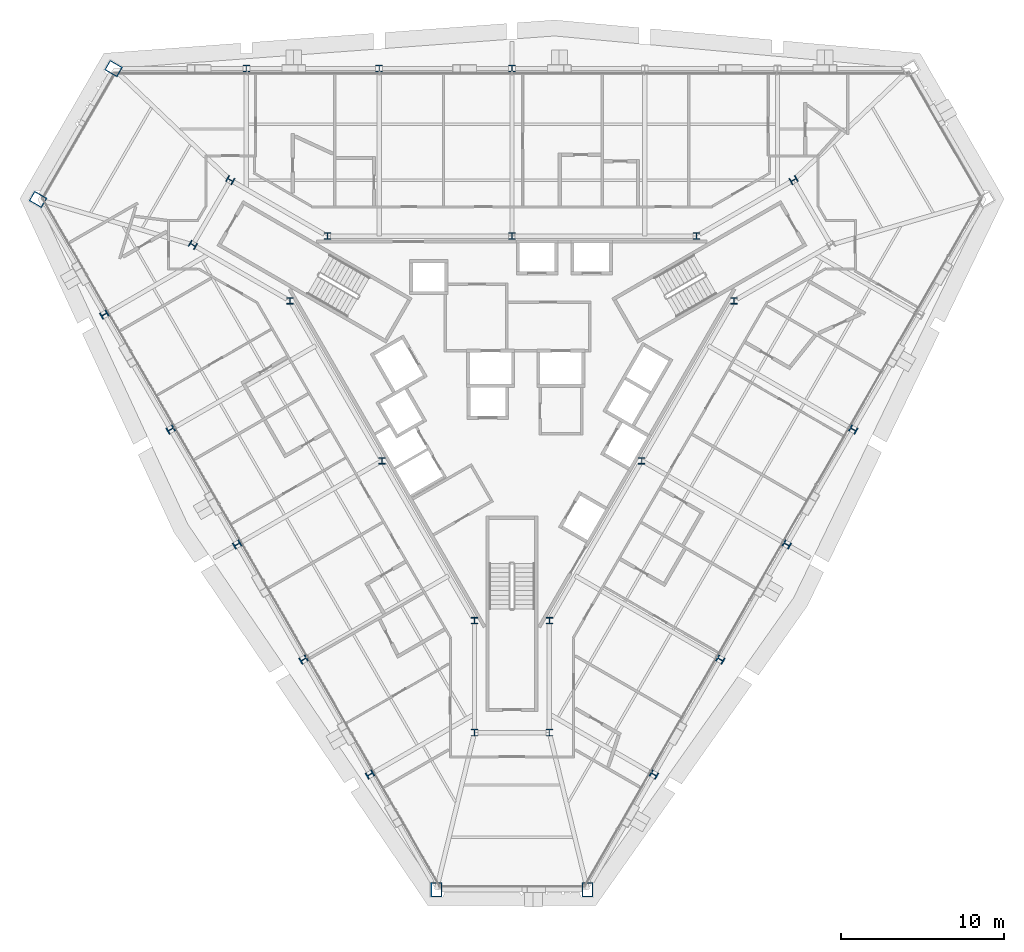
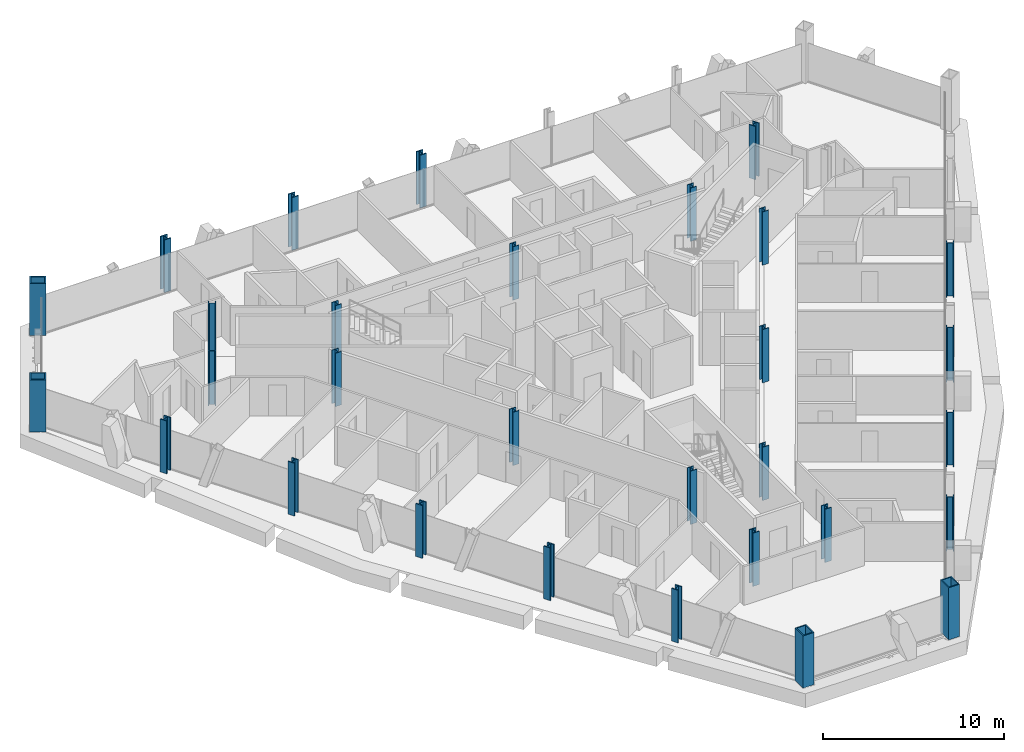
# One storey, part 1 of 19: 30 columns.
"""IFC4 building model written with IfcOpenShell, lengths in metres."""

from ifc_helpers import new_model, si_unit, direction, frame, origin, origin_2d, place, context, subcontext, project, spatial, hollow_rectangle, i_section, extrude, material, material_profile, profile_set, type_object, element, save


model = new_model("IFC4")

# Units and contexts
model_context = context("Model", 3, precision=1e-05, world=origin(), true_north=direction((0.0, 1.0)))
body_context = subcontext(model_context, "Body", "Model", "MODEL_VIEW")
ifc_project = project(units=[si_unit("LENGTHUNIT", "METRE"), si_unit("AREAUNIT", "SQUARE_METRE"), si_unit("VOLUMEUNIT", "CUBIC_METRE"), si_unit("PLANEANGLEUNIT", "RADIAN"), si_unit("MASSUNIT", "GRAM", prefix="KILO")], contexts=[model_context])

# Site, building, storey
site_placement = place(None, origin())
site = spatial("IfcSite", under=ifc_project, at=site_placement, CompositionType="ELEMENT")
building_placement = place(site_placement, origin())
building = spatial("IfcBuilding", under=site, at=building_placement, Name="Verrane Prism Tower", CompositionType="ELEMENT")
storey_placement = place(building_placement, frame((0.0, 0.0, 125.199951171875)))
storey = spatial("IfcBuildingStorey", under=building, at=storey_placement, Name="L30", CompositionType="ELEMENT", Elevation=125.199951171875)

# Columns
ifc_material_1 = material(Name="Steel A992", Category="steel")
ifc_material_profile_1 = material_profile(ifc_material_1, i_section(OverallWidth=0.411376953125, OverallDepth=0.434326171875, WebThickness=0.035888671875, FlangeThickness=0.057373046875, FilletRadius=0.01513671875, at=origin_2d()), Name="W14x311")
ifc_profile_set_1 = profile_set([ifc_material_profile_1], Name="Steel A992")
column_type_1 = type_object("IfcColumnType", Name="Core corner column W14x311", PredefinedType="COLUMN", material=ifc_profile_set_1)
for number, where, z_axis, x_axis, name in (
    (1, (17.300048828125, 12.639892578125, 0.0), (0.0, 0.0, 1.0), (0.5, -0.866025403784, 0.0), "Core corner column CK-NEp L30"),
    (2, (-17.300048828125, 12.639892578125, 0.0), (0.0, 0.0, 1.0), (0.5, 0.866025403784, 0.0), "Core corner column CK-NWm L30"),
    (3, (-19.60009765625, 8.659912109375, 0.0), (0.0, 0.0, 1.0), (0.5, 0.866025403784, 0.0), "Core corner column CK-NWp L30"),
    (4, (-2.300048828125, -21.300048828125, 0.0), (0.0, 0.0, 1.0), (-1.0, 0.0, 0.0), "Core corner column CK-Sm L30"),
    (5, (2.300048828125, -21.300048828125, 0.0), (0.0, 0.0, 1.0), (-1.0, 0.0, 0.0), "Core corner column CK-Sp L30"),
):
    element("IfcColumn", number, at=place(storey_placement, frame(where, z_axis=z_axis, x_axis=x_axis)), inside=storey, type_object=column_type_1, Name=name, PredefinedType="COLUMN", context=body_context, shape_type="SweptSolid", body=[
        extrude(i_section(OverallWidth=0.411376953125, OverallDepth=0.434326171875, WebThickness=0.035888671875, FlangeThickness=0.057373046875, FilletRadius=0.01513671875, at=origin_2d()), origin(), (0.0, 0.0, 1.0), 3.60009765625),
    ])
ifc_material_2 = material(Name="Steel A992", Category="steel")
ifc_material_profile_2 = material_profile(ifc_material_2, i_section(OverallWidth=0.4013671875, OverallDepth=0.398681640625, WebThickness=0.02490234375, FlangeThickness=0.03955078125, FilletRadius=0.01513671875, at=origin_2d()), Name="W14x211")
ifc_profile_set_2 = profile_set([ifc_material_profile_2], Name="Steel A992")
column_type_2 = type_object("IfcColumnType", Name="Core side column W14x211", PredefinedType="COLUMN", material=ifc_profile_set_2)
for number, where, z_axis, x_axis, name in (
    (6, (13.6298828125, 5.219970703125, 0.0), (0.0, 0.0, 1.0), (1.0, 0.0, 0.0), "Core side column CC-NEm L30"),
    (7, (11.330078125, 9.199951171875, 0.0), (0.0, 0.0, 1.0), (1.0, 0.0, 0.0), "Core side column CC-NEp L30"),
    (8, (0.0, 9.199951171875, 0.0), (0.0, 0.0, 1.0), (1.0, 0.0, 0.0), "Core side column CC-N0 L30"),
    (9, (-11.330078125, 9.199951171875, 0.0), (0.0, 0.0, 1.0), (1.0, 0.0, 0.0), "Core side column CC-NWm L30"),
    (10, (-13.6298828125, 5.219970703125, 0.0), (0.0, 0.0, 1.0), (1.0, 0.0, 0.0), "Core side column CC-NWp L30"),
    (11, (-7.969970703125, -4.60009765625, 0.0), (0.0, 0.0, 1.0), (1.0, 0.0, 0.0), "Core side column CC-SW0 L30"),
    (12, (-2.300048828125, -14.419921875, 0.0), (0.0, 0.0, 1.0), (1.0, 0.0, 0.0), "Core side column CC-Sm L30"),
    (13, (2.300048828125, -14.419921875, 0.0), (0.0, 0.0, 1.0), (1.0, 0.0, 0.0), "Core side column CC-Sp L30"),
    (14, (7.969970703125, -4.60009765625, 0.0), (0.0, 0.0, 1.0), (1.0, 0.0, 0.0), "Core side column CC-SE0 L30"),
):
    element("IfcColumn", number, at=place(storey_placement, frame(where, z_axis=z_axis, x_axis=x_axis)), inside=storey, type_object=column_type_2, Name=name, PredefinedType="COLUMN", context=body_context, shape_type="SweptSolid", body=[
        extrude(i_section(OverallWidth=0.4013671875, OverallDepth=0.398681640625, WebThickness=0.02490234375, FlangeThickness=0.03955078125, FilletRadius=0.01513671875, at=origin_2d()), origin(), (0.0, 0.0, 1.0), 3.60009765625),
    ])
ifc_material_3 = material(Name="Steel A572 Grade 50", Category="steel")
ifc_material_profile_3 = material_profile(ifc_material_3, hollow_rectangle(XDim=0.699951171875, YDim=0.89990234375, WallThickness=0.06494140625, at=origin_2d()), Name="BOX 900x700x65")
ifc_profile_set_3 = profile_set([ifc_material_profile_3], Name="Steel A572 Grade 50")
column_type_3 = type_object("IfcColumnType", Name="Megacolumn BOX 900x700x65", PredefinedType="COLUMN", material=ifc_profile_set_3)
for number, where, z_axis, x_axis, name in (
    (15, (-24.469970703125, 19.489990234375, 0.0), (0.0, 0.0, 1.0), (0.5, 0.866025403784, 0.0), "Megacolumn MC-NW.a L30"),
    (16, (-29.110107421875, 11.449951171875, 0.0), (0.0, 0.0, 1.0), (0.5, 0.866025403784, 0.0), "Megacolumn MC-NW.b L30"),
    (17, (-4.639892578125, -30.93994140625, 0.0), (0.0, 0.0, 1.0), (-1.0, 0.0, 0.0), "Megacolumn MC-S.a L30"),
    (18, (4.639892578125, -30.93994140625, 0.0), (0.0, 0.0, 1.0), (-1.0, 0.0, 0.0), "Megacolumn MC-S.b L30"),
):
    element("IfcColumn", number, at=place(storey_placement, frame(where, z_axis=z_axis, x_axis=x_axis)), inside=storey, type_object=column_type_3, Name=name, PredefinedType="COLUMN", context=body_context, shape_type="SweptSolid", body=[
        extrude(hollow_rectangle(XDim=0.699951171875, YDim=0.89990234375, WallThickness=0.06494140625, at=origin_2d()), origin(), (0.0, 0.0, 1.0), 3.525146484375),
    ])
ifc_material_4 = material(Name="Steel A992", Category="steel")
ifc_material_profile_4 = material_profile(ifc_material_4, i_section(OverallWidth=0.419189453125, OverallDepth=0.45458984375, WebThickness=0.042236328125, FlangeThickness=0.067626953125, FilletRadius=0.01513671875, at=origin_2d()), Name="W14x370")
ifc_profile_set_4 = profile_set([ifc_material_profile_4], Name="Steel A992")
column_type_4 = type_object("IfcColumnType", Name="Perimeter column W14x370", PredefinedType="COLUMN", material=ifc_profile_set_4)
column_1_placement = place(storey_placement, frame((0.0, 19.489990234375, 0.0), z_axis=(0.0, 0.0, 1.0), x_axis=(1.0, 0.0, 0.0)))
element("IfcColumn", 19, at=column_1_placement, inside=storey, type_object=column_type_4, Name="Perimeter column PC-N3 L30", PredefinedType="COLUMN", context=body_context, shape_type="SweptSolid", body=[
    extrude(i_section(OverallWidth=0.419189453125, OverallDepth=0.45458984375, WebThickness=0.042236328125, FlangeThickness=0.067626953125, FilletRadius=0.01513671875, at=origin_2d()), origin(), (0.0, 0.0, 1.0), 3.56494140625),
])
for number, where, z_axis, x_axis, name in (
    (20, (-8.159912109375, 19.489990234375, 0.0), (0.0, 0.0, 1.0), (1.0, 0.0, 0.0), "Perimeter column PC-N4 L30"),
    (21, (-16.31005859375, 19.489990234375, 0.0), (0.0, 0.0, 1.0), (1.0, 0.0, 0.0), "Perimeter column PC-N5 L30"),
    (22, (-25.0400390625, 4.3798828125, 0.0), (0.0, 0.0, 1.0), (-0.5, 0.866025403784, 0.0), "Perimeter column PC-SW1 L30"),
    (23, (-20.9599609375, -2.679931640625, 0.0), (0.0, 0.0, 1.0), (-0.5, 0.866025403784, 0.0), "Perimeter column PC-SW2 L30"),
):
    element("IfcColumn", number, at=place(storey_placement, frame(where, z_axis=z_axis, x_axis=x_axis)), inside=storey, type_object=column_type_4, Name=name, PredefinedType="COLUMN", context=body_context, shape_type="SweptSolid", body=[
        extrude(i_section(OverallWidth=0.419189453125, OverallDepth=0.45458984375, WebThickness=0.042236328125, FlangeThickness=0.067626953125, FilletRadius=0.01513671875, at=origin_2d()), origin(), (0.0, 0.0, 1.0), 3.56005859375),
    ])
column_2_placement = place(storey_placement, frame((-16.8798828125, -9.739990234375, 0.0), z_axis=(0.0, 0.0, 1.0), x_axis=(-0.5, 0.866025403784, 0.0)))
element("IfcColumn", 24, at=column_2_placement, inside=storey, type_object=column_type_4, Name="Perimeter column PC-SW3 L30", PredefinedType="COLUMN", context=body_context, shape_type="SweptSolid", body=[
    extrude(i_section(OverallWidth=0.419189453125, OverallDepth=0.45458984375, WebThickness=0.042236328125, FlangeThickness=0.067626953125, FilletRadius=0.01513671875, at=origin_2d()), origin(), (0.0, 0.0, 1.0), 3.56494140625),
])
for number, where, z_axis, x_axis, name in (
    (25, (-12.800048828125, -16.81005859375, 0.0), (0.0, 0.0, 1.0), (-0.5, 0.866025403784, 0.0), "Perimeter column PC-SW4 L30"),
    (26, (-8.719970703125, -23.8701171875, 0.0), (0.0, 0.0, 1.0), (-0.5, 0.866025403784, 0.0), "Perimeter column PC-SW5 L30"),
    (27, (8.719970703125, -23.8701171875, 0.0), (0.0, 0.0, 1.0), (-0.5, -0.866025403784, 0.0), "Perimeter column PC-SE1 L30"),
    (28, (12.800048828125, -16.81005859375, 0.0), (0.0, 0.0, 1.0), (-0.5, -0.866025403784, 0.0), "Perimeter column PC-SE2 L30"),
):
    element("IfcColumn", number, at=place(storey_placement, frame(where, z_axis=z_axis, x_axis=x_axis)), inside=storey, type_object=column_type_4, Name=name, PredefinedType="COLUMN", context=body_context, shape_type="SweptSolid", body=[
        extrude(i_section(OverallWidth=0.419189453125, OverallDepth=0.45458984375, WebThickness=0.042236328125, FlangeThickness=0.067626953125, FilletRadius=0.01513671875, at=origin_2d()), origin(), (0.0, 0.0, 1.0), 3.56005859375),
    ])
column_3_placement = place(storey_placement, frame((16.8798828125, -9.739990234375, 0.0), z_axis=(0.0, 0.0, 1.0), x_axis=(-0.5, -0.866025403784, 0.0)))
element("IfcColumn", 29, at=column_3_placement, inside=storey, type_object=column_type_4, Name="Perimeter column PC-SE3 L30", PredefinedType="COLUMN", context=body_context, shape_type="SweptSolid", body=[
    extrude(i_section(OverallWidth=0.419189453125, OverallDepth=0.45458984375, WebThickness=0.042236328125, FlangeThickness=0.067626953125, FilletRadius=0.01513671875, at=origin_2d()), origin(), (0.0, 0.0, 1.0), 3.56494140625),
])
column_4_placement = place(storey_placement, frame((20.9599609375, -2.679931640625, 0.0), z_axis=(0.0, 0.0, 1.0), x_axis=(-0.5, -0.866025403784, 0.0)))
element("IfcColumn", 30, at=column_4_placement, inside=storey, type_object=column_type_4, Name="Perimeter column PC-SE4 L30", PredefinedType="COLUMN", context=body_context, shape_type="SweptSolid", body=[
    extrude(i_section(OverallWidth=0.419189453125, OverallDepth=0.45458984375, WebThickness=0.042236328125, FlangeThickness=0.067626953125, FilletRadius=0.01513671875, at=origin_2d()), origin(), (0.0, 0.0, 1.0), 3.56005859375),
])

save(model, "model.ifc")
